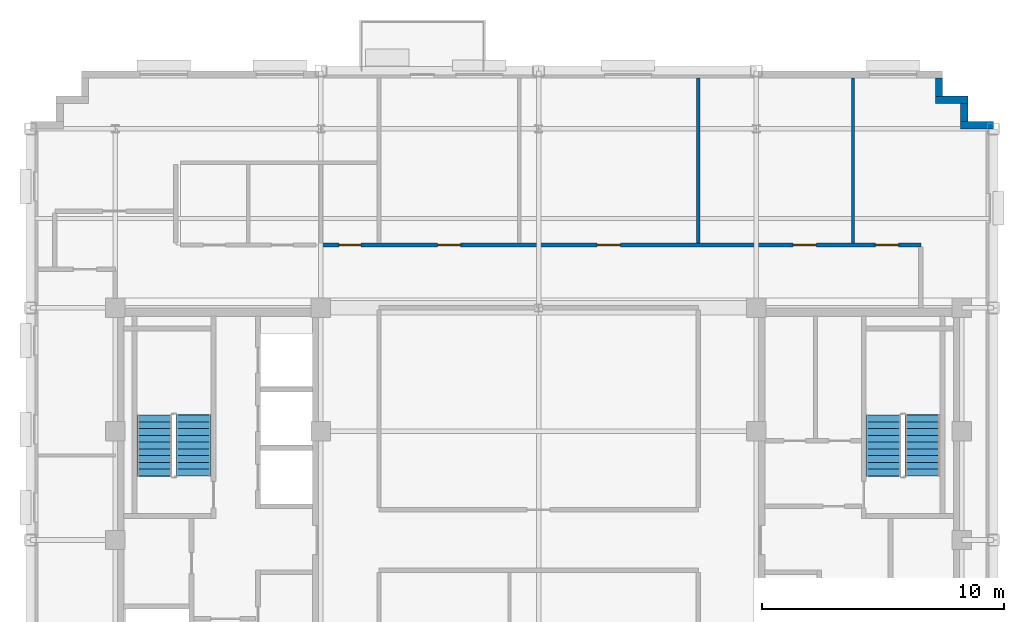
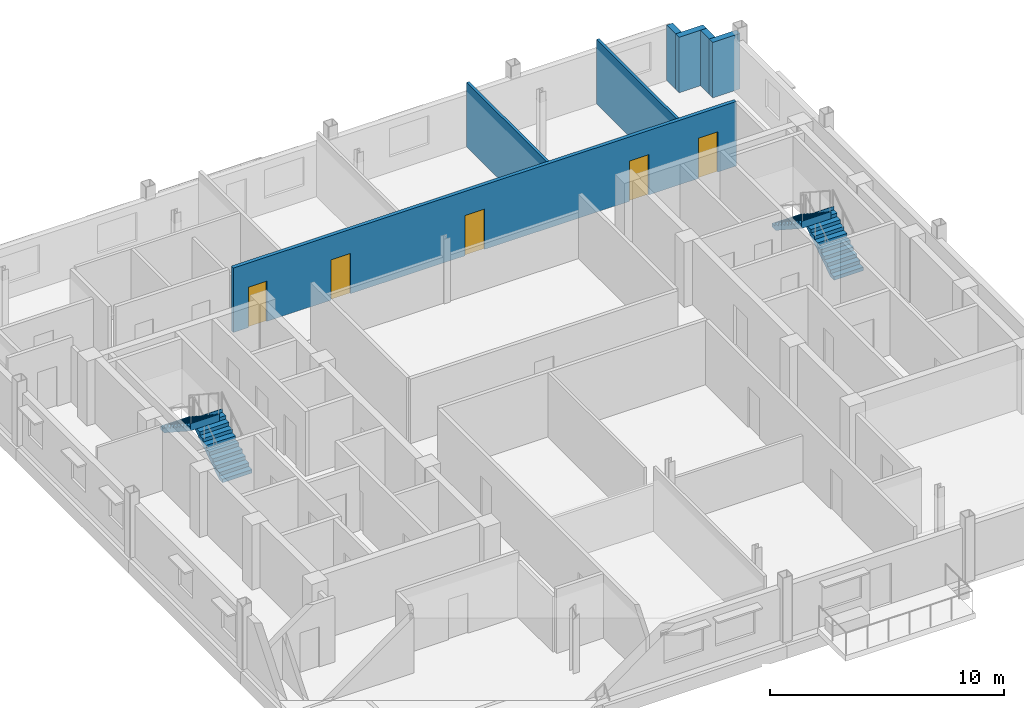
# One storey, part 9 of 13: 7 walls, 5 doors, 4 stair flights, 5 openings, 2 elements without a shape of their own.
"""IFC4 building model written with IfcOpenShell, lengths in metres."""

from ifc_helpers import new_model, si_unit, direction, frame, frame_2d, origin, place, context, subcontext, project, spatial, polyline, rectangle, outline, extrude, source, transform, mapped, material, layer, layer_set, type_object, type_shapes, element, fill, aggregate, save


model = new_model("IFC4")

# Units and contexts
model_context = context("Model", 3, precision=1e-05, world=origin(), true_north=direction((0.0, 1.0)))
body_context = subcontext(model_context, "Body", "Model", "MODEL_VIEW")
ifc_project = project(units=[si_unit("LENGTHUNIT", "METRE"), si_unit("AREAUNIT", "SQUARE_METRE"), si_unit("VOLUMEUNIT", "CUBIC_METRE"), si_unit("PLANEANGLEUNIT", "RADIAN"), si_unit("MASSUNIT", "GRAM", prefix="KILO")], contexts=[model_context])

# Site, building, storey
site_placement = place(None, origin())
site = spatial("IfcSite", under=ifc_project, at=site_placement, CompositionType="ELEMENT")
building_placement = place(site_placement, origin())
building = spatial("IfcBuilding", under=site, at=building_placement, Name="Nuvemarco Arch Tower", CompositionType="ELEMENT")
storey_placement = place(building_placement, frame((0.0, 0.0, 257.949951171875)))
storey = spatial("IfcBuildingStorey", under=building, at=storey_placement, Name="L68", CompositionType="ELEMENT", Elevation=257.949951171875)

# Walls
ifc_material_1 = material(Name="Precast concrete C45/55", Category="concrete")
ifc_layer_1 = layer(ifc_material_1, 0.300048828125, Name="EW-HIGH-300")
ifc_layer_set_1 = layer_set([ifc_layer_1], Name="Precast concrete C45/55")
wall_type_1 = type_object("IfcWallType", Name="EW-HIGH-300", PredefinedType="STANDARD", material=ifc_layer_set_1)
wall_1_placement = place(storey_placement, frame((17.449951171875, 17.14990234375, 0.0), z_axis=(0.0, 0.0, 1.0), x_axis=(1.0, 0.0, 0.0)))
element("IfcWall", 1, at=wall_1_placement, inside=storey, type_object=wall_type_1, Name="L68 exterior precast facade wall 7", PredefinedType="STANDARD", context=body_context, shape_type="SweptSolid", body=[
    extrude(rectangle(XDim=1.35009765625, YDim=0.300048828125, at=frame_2d((0.675048828125, 0.0))), origin(), (0.0, 0.0, 1.0), 2.89208984375),
])
wall_2_placement = place(storey_placement, frame((17.60009765625, 17.2958984375, 0.0), z_axis=(0.0, 0.0, 1.0), x_axis=(0.0, 1.0, 0.0)))
element("IfcWall", 2, at=wall_2_placement, inside=storey, type_object=wall_type_1, Name="L68 exterior precast facade wall 8", PredefinedType="STANDARD", context=body_context, shape_type="SweptSolid", body=[
    extrude(rectangle(XDim=0.758056640625, YDim=0.300048828125, at=frame_2d((0.37890625, 0.0))), origin(), (0.0, 0.0, 1.0), 2.89208984375),
])
wall_3_placement = place(storey_placement, frame((16.39990234375, 18.199951171875, 0.0), z_axis=(0.0, 0.0, 1.0), x_axis=(1.0, 0.0, 0.0)))
element("IfcWall", 3, at=wall_3_placement, inside=storey, type_object=wall_type_1, Name="L68 exterior precast facade wall 9", PredefinedType="STANDARD", context=body_context, shape_type="SweptSolid", body=[
    extrude(rectangle(XDim=1.35009765625, YDim=0.300048828125, at=frame_2d((0.675048828125, 0.0))), origin(), (0.0, 0.0, 1.0), 2.89208984375),
])
wall_4_placement = place(storey_placement, frame((16.550048828125, 18.345947265625, 0.0), z_axis=(0.0, 0.0, 1.0), x_axis=(0.0, 1.0, 0.0)))
element("IfcWall", 4, at=wall_4_placement, inside=storey, type_object=wall_type_1, Name="L68 exterior precast facade wall 10", PredefinedType="STANDARD", context=body_context, shape_type="SweptSolid", body=[
    extrude(rectangle(XDim=0.758056640625, YDim=0.300048828125, at=frame_2d((0.37890625, 0.0))), origin(), (0.0, 0.0, 1.0), 2.89208984375),
])

# Wall, openings, doors
ifc_material_2 = material(Name="Fire-rated gypsum drywall partition")
ifc_layer_2 = layer(ifc_material_2, 0.179931640625, Name="WL-CORR-180")
ifc_layer_set_2 = layer_set([ifc_layer_2], Name="Fire-rated gypsum drywall partition")
wall_type_2 = type_object("IfcWallType", Name="WL-CORR-180", PredefinedType="PARTITIONING", material=ifc_layer_set_2)
wall_5_placement = place(storey_placement, frame((-9.0, 12.199951171875, 0.0), z_axis=(0.0, 0.0, 1.0), x_axis=(1.0, 0.0, 0.0)))
wall_5 = element("IfcWall", 5, at=wall_5_placement, inside=storey, type_object=wall_type_2, Name="L68 interior wall IW-L68-015", PredefinedType="PARTITIONING", context=body_context, shape_type="SweptSolid", body=[
    extrude(rectangle(XDim=24.800048828125, YDim=0.179931640625, at=frame_2d((12.39990234375, 0.0))), origin(), (0.0, 0.0, 1.0), 3.360107421875),
])
opening_1_placement = place(wall_5_placement, frame((11.419921875, 0.0, 0.0)))
opening_1 = element("IfcOpeningElement", 6, at=opening_1_placement, cuts=wall_5, Name="Opening FD-5", PredefinedType="OPENING", context=body_context, shape_type="SweptSolid", body=[
    extrude(rectangle(XDim=0.9599609375, YDim=2.10009765625, at=frame_2d((0.47998046875, 1.050048828125))), frame((0.0, 0.099853515625, 0.0), z_axis=(0.0, -1.0, 0.0), x_axis=(1.0, 0.0, 0.0)), (0.0, 0.0, 1.0), 0.199951171875),
])
opening_2_placement = place(wall_5_placement, frame((4.820068359375, 0.0, 0.0)))
opening_2 = element("IfcOpeningElement", 7, at=opening_2_placement, cuts=wall_5, Name="Opening FD-5", PredefinedType="OPENING", context=body_context, shape_type="SweptSolid", body=[
    extrude(rectangle(XDim=0.9599609375, YDim=2.10009765625, at=frame_2d((0.47998046875, 1.050048828125))), frame((0.0, 0.099853515625, 0.0), z_axis=(0.0, -1.0, 0.0), x_axis=(1.0, 0.0, 0.0)), (0.0, 0.0, 1.0), 0.199951171875),
])
opening_3_placement = place(wall_5_placement, frame((19.52001953125, 0.0, 0.0)))
opening_3 = element("IfcOpeningElement", 8, at=opening_3_placement, cuts=wall_5, Name="Opening FD-5", PredefinedType="OPENING", context=body_context, shape_type="SweptSolid", body=[
    extrude(rectangle(XDim=0.9599609375, YDim=2.10009765625, at=frame_2d((0.47998046875, 1.050048828125))), frame((0.0, 0.099853515625, 0.0), z_axis=(0.0, -1.0, 0.0), x_axis=(1.0, 0.0, 0.0)), (0.0, 0.0, 1.0), 0.199951171875),
])
opening_4_placement = place(wall_5_placement, frame((22.919921875, 0.0, 0.0)))
opening_4 = element("IfcOpeningElement", 9, at=opening_4_placement, cuts=wall_5, Name="Opening FD-5", PredefinedType="OPENING", context=body_context, shape_type="SweptSolid", body=[
    extrude(rectangle(XDim=0.9599609375, YDim=2.10009765625, at=frame_2d((0.47998046875, 1.050048828125))), frame((0.0, 0.099853515625, 0.0), z_axis=(0.0, -1.0, 0.0), x_axis=(1.0, 0.0, 0.0)), (0.0, 0.0, 1.0), 0.199951171875),
])
opening_5_placement = place(wall_5_placement, frame((0.75, 0.0, 0.0)))
opening_5 = element("IfcOpeningElement", 10, at=opening_5_placement, cuts=wall_5, Name="Opening ID-3", PredefinedType="OPENING", context=body_context, shape_type="SweptSolid", body=[
    extrude(rectangle(XDim=0.89990234375, YDim=2.10009765625, at=frame_2d((0.449951171875, 1.050048828125))), frame((0.0, 0.099853515625, 0.0), z_axis=(0.0, -1.0, 0.0), x_axis=(1.0, 0.0, 0.0)), (0.0, 0.0, 1.0), 0.199951171875),
])
ifc_material_3 = material(Name="Timber fire door", Category="wood")
door_type_1 = type_object("IfcDoorType", Name="DR-CORR-FD", OperationType="NOTDEFINED", PredefinedType="DOOR", material=ifc_material_3)
shared_shape_1 = source(origin(), body_context, "Body", "SweptSolid", [
    extrude(rectangle(XDim=0.9599609375, YDim=2.10009765625, at=frame_2d((0.47998046875, 1.050048828125))), frame((0.0, 0.02490234375, 0.0), z_axis=(0.0, -1.0, 0.0), x_axis=(1.0, 0.0, 0.0)), (0.0, 0.0, 1.0), 0.050048828125),
])
type_shapes(door_type_1, [shared_shape_1])
door_1_placement = place(opening_1_placement, origin())
door_1 = element("IfcDoor", 11, at=door_1_placement, inside=storey, type_object=door_type_1, Name="L68 door DR-L68-N_3", OperationType="SINGLE_SWING_LEFT", OverallHeight=2.10009765625, OverallWidth=0.9599609375, PredefinedType="DOOR", context=body_context, shape_type="MappedRepresentation", body=[
    mapped(shared_shape_1, transform((0.0, 0.0, 0.0), scale=1.0)),
])
fill(opening_1, door_1)
door_2_placement = place(opening_2_placement, origin())
door_2 = element("IfcDoor", 12, at=door_2_placement, inside=storey, type_object=door_type_1, Name="L68 door DR-L68-N_2", OperationType="SINGLE_SWING_RIGHT", OverallHeight=2.10009765625, OverallWidth=0.9599609375, PredefinedType="DOOR", context=body_context, shape_type="MappedRepresentation", body=[
    mapped(shared_shape_1, transform((0.0, 0.0, 0.0), scale=1.0)),
])
fill(opening_2, door_2)
door_3_placement = place(opening_3_placement, origin())
door_3 = element("IfcDoor", 13, at=door_3_placement, inside=storey, type_object=door_type_1, Name="L68 door DR-L68-N_4", OperationType="SINGLE_SWING_LEFT", OverallHeight=2.10009765625, OverallWidth=0.9599609375, PredefinedType="DOOR", context=body_context, shape_type="MappedRepresentation", body=[
    mapped(shared_shape_1, transform((0.0, 0.0, 0.0), scale=1.0)),
])
fill(opening_3, door_3)
door_4_placement = place(opening_4_placement, origin())
door_4 = element("IfcDoor", 14, at=door_4_placement, inside=storey, type_object=door_type_1, Name="L68 door DR-L68-N_5", OperationType="SINGLE_SWING_LEFT", OverallHeight=2.10009765625, OverallWidth=0.9599609375, PredefinedType="DOOR", context=body_context, shape_type="MappedRepresentation", body=[
    mapped(shared_shape_1, transform((0.0, 0.0, 0.0), scale=1.0)),
])
fill(opening_4, door_4)
ifc_material_4 = material(Name="Veneered oak timber fire door", Category="wood")
door_type_2 = type_object("IfcDoorType", Name="DR-WC-ACC", OperationType="NOTDEFINED", PredefinedType="DOOR", material=ifc_material_4)
shared_shape_2 = source(origin(), body_context, "Body", "SweptSolid", [
    extrude(rectangle(XDim=0.89990234375, YDim=2.10009765625, at=frame_2d((0.449951171875, 1.050048828125))), frame((0.0, 0.02490234375, 0.0), z_axis=(0.0, -1.0, 0.0), x_axis=(1.0, 0.0, 0.0)), (0.0, 0.0, 1.0), 0.050048828125),
])
type_shapes(door_type_2, [shared_shape_2])
door_5_placement = place(opening_5_placement, origin())
door_5 = element("IfcDoor", 15, at=door_5_placement, inside=storey, type_object=door_type_2, Name="L68 door DR-L68-WC_ACC", OperationType="SINGLE_SWING_RIGHT", OverallHeight=2.10009765625, OverallWidth=0.89990234375, PredefinedType="DOOR", context=body_context, shape_type="MappedRepresentation", body=[
    mapped(shared_shape_2, transform((0.0, 0.0, 0.0), scale=1.0)),
])
fill(opening_5, door_5)

# Walls
ifc_material_5 = material(Name="Glazed acoustic office partition")
ifc_layer_3 = layer(ifc_material_5, 0.1298828125, Name="WL-EXEC-130")
ifc_layer_set_3 = layer_set([ifc_layer_3], Name="Glazed acoustic office partition")
wall_type_3 = type_object("IfcWallType", Name="WL-EXEC-130", PredefinedType="PARTITIONING", material=ifc_layer_set_3)
for number, where, z_axis, x_axis, name in (
    (16, (6.60009765625, 12.285888671875, 0.0), (0.0, 0.0, 1.0), (0.0, 1.0, 0.0), "L68 interior wall IW-L68-035"),
    (17, (13.0, 12.285888671875, 0.0), (0.0, 0.0, 1.0), (0.0, 1.0, 0.0), "L68 interior wall IW-L68-037"),
):
    element("IfcWall", number, at=place(storey_placement, frame(where, z_axis=z_axis, x_axis=x_axis)), inside=storey, type_object=wall_type_3, Name=name, PredefinedType="PARTITIONING", context=body_context, shape_type="SweptSolid", body=[
        extrude(rectangle(XDim=6.814208984375, YDim=0.1298828125, at=frame_2d((3.4072265625, 0.0))), origin(), (0.0, 0.0, 1.0), 3.360107421875),
    ])

# Stair, stair flights
stair_type = type_object("IfcStairType", Name="ST-CORE-20R", PredefinedType="HALF_TURN_STAIR", material=ifc_material_1)
stair_1_placement = place(storey_placement, origin())
stair_1 = element("IfcStair", 18, at=stair_1_placement, inside=storey, type_object=stair_type, Name="L68 Protected Exit Stair ST-1", PredefinedType="HALF_TURN_STAIR")
stair_flight_type = type_object("IfcStairFlightType", Name="SF-CORE-20R", PredefinedType="STRAIGHT", material=ifc_material_1)
stair_flight_1_placement = place(storey_placement, frame((-14.264892578125, 2.64990234375, 0.0), z_axis=(0.0, 0.0, 1.0), x_axis=(0.0, 1.0, 0.0)))
stair_flight_1 = element("IfcStairFlight", 19, at=stair_flight_1_placement, type_object=stair_flight_type, Name="ST-20R flight 1", NumberOfRisers=10, NumberOfTreads=9, PredefinedType="STRAIGHT", RiserHeight=0.1825, TreadLength=0.28, context=body_context, shape_type="SweptSolid", body=[
    extrude(outline(polyline([(0.0, 0.0), (0.0, 0.1826171875), (0.280029296875, 0.1826171875), (0.280029296875, 0.364990234375), (0.56005859375, 0.364990234375), (0.56005859375, 0.547607421875), (0.840087890625, 0.547607421875), (0.840087890625, 0.72998046875), (1.1201171875, 0.72998046875), (1.1201171875, 0.91259765625), (1.39990234375, 0.91259765625), (1.39990234375, 1.094970703125), (1.679931640625, 1.094970703125), (1.679931640625, 1.277587890625), (1.9599609375, 1.277587890625), (1.9599609375, 1.4599609375), (2.239990234375, 1.4599609375), (2.239990234375, 1.642578125), (2.52001953125, 1.642578125), (2.52001953125, 1.824951171875), (2.5400390625, 1.824951171875), (2.5400390625, 1.45166015625), (0.312744140625, 0.0), (0.0, 0.0)])), frame((0.0, 0.72509765625, 0.0), z_axis=(0.0, -1.0, 0.0), x_axis=(1.0, 0.0, 0.0)), (0.0, 0.0, 1.0), 1.449951171875),
])
stair_flight_2_placement = place(storey_placement, frame((-15.875, 5.169921875, 1.824951171875), z_axis=(0.0, 0.0, 1.0), x_axis=(0.0, -1.0, 0.0)))
stair_flight_2 = element("IfcStairFlight", 20, at=stair_flight_2_placement, type_object=stair_flight_type, Name="ST-20R flight 2", NumberOfRisers=10, NumberOfTreads=9, PredefinedType="STRAIGHT", RiserHeight=0.1825, TreadLength=0.28, context=body_context, shape_type="SweptSolid", body=[
    extrude(outline(polyline([(0.0, 0.0), (0.0, 0.1826171875), (0.280029296875, 0.1826171875), (0.280029296875, 0.364990234375), (0.56005859375, 0.364990234375), (0.56005859375, 0.547607421875), (0.840087890625, 0.547607421875), (0.840087890625, 0.72998046875), (1.1201171875, 0.72998046875), (1.1201171875, 0.91259765625), (1.39990234375, 0.91259765625), (1.39990234375, 1.094970703125), (1.679931640625, 1.094970703125), (1.679931640625, 1.277587890625), (1.9599609375, 1.277587890625), (1.9599609375, 1.4599609375), (2.239990234375, 1.4599609375), (2.239990234375, 1.642578125), (2.52001953125, 1.642578125), (2.52001953125, 1.824951171875), (2.5400390625, 1.824951171875), (2.5400390625, 1.45166015625), (0.312744140625, 0.0), (0.0, 0.0)])), frame((0.0, 0.72509765625, 0.0), z_axis=(0.0, -1.0, 0.0), x_axis=(1.0, 0.0, 0.0)), (0.0, 0.0, 1.0), 1.449951171875),
])
aggregate(stair_1, [stair_flight_1, stair_flight_2])

stair_2_placement = place(storey_placement, origin())
stair_2 = element("IfcStair", 21, at=stair_2_placement, inside=storey, type_object=stair_type, Name="L68 Protected Exit Stair ST-2", PredefinedType="HALF_TURN_STAIR")
stair_flight_3_placement = place(storey_placement, frame((15.875, 2.64990234375, 0.0), z_axis=(0.0, 0.0, 1.0), x_axis=(0.0, 1.0, 0.0)))
stair_flight_3 = element("IfcStairFlight", 22, at=stair_flight_3_placement, type_object=stair_flight_type, Name="ST-20R flight 1", NumberOfRisers=10, NumberOfTreads=9, PredefinedType="STRAIGHT", RiserHeight=0.1825, TreadLength=0.28, context=body_context, shape_type="SweptSolid", body=[
    extrude(outline(polyline([(0.0, 0.0), (0.0, 0.1826171875), (0.280029296875, 0.1826171875), (0.280029296875, 0.364990234375), (0.56005859375, 0.364990234375), (0.56005859375, 0.547607421875), (0.840087890625, 0.547607421875), (0.840087890625, 0.72998046875), (1.1201171875, 0.72998046875), (1.1201171875, 0.91259765625), (1.39990234375, 0.91259765625), (1.39990234375, 1.094970703125), (1.679931640625, 1.094970703125), (1.679931640625, 1.277587890625), (1.9599609375, 1.277587890625), (1.9599609375, 1.4599609375), (2.239990234375, 1.4599609375), (2.239990234375, 1.642578125), (2.52001953125, 1.642578125), (2.52001953125, 1.824951171875), (2.5400390625, 1.824951171875), (2.5400390625, 1.45166015625), (0.312744140625, 0.0), (0.0, 0.0)])), frame((0.0, 0.72509765625, 0.0), z_axis=(0.0, -1.0, 0.0), x_axis=(1.0, 0.0, 0.0)), (0.0, 0.0, 1.0), 1.449951171875),
])
stair_flight_4_placement = place(storey_placement, frame((14.264892578125, 5.169921875, 1.824951171875), z_axis=(0.0, 0.0, 1.0), x_axis=(0.0, -1.0, 0.0)))
stair_flight_4 = element("IfcStairFlight", 23, at=stair_flight_4_placement, type_object=stair_flight_type, Name="ST-20R flight 2", NumberOfRisers=10, NumberOfTreads=9, PredefinedType="STRAIGHT", RiserHeight=0.1825, TreadLength=0.28, context=body_context, shape_type="SweptSolid", body=[
    extrude(outline(polyline([(0.0, 0.0), (0.0, 0.1826171875), (0.280029296875, 0.1826171875), (0.280029296875, 0.364990234375), (0.56005859375, 0.364990234375), (0.56005859375, 0.547607421875), (0.840087890625, 0.547607421875), (0.840087890625, 0.72998046875), (1.1201171875, 0.72998046875), (1.1201171875, 0.91259765625), (1.39990234375, 0.91259765625), (1.39990234375, 1.094970703125), (1.679931640625, 1.094970703125), (1.679931640625, 1.277587890625), (1.9599609375, 1.277587890625), (1.9599609375, 1.4599609375), (2.239990234375, 1.4599609375), (2.239990234375, 1.642578125), (2.52001953125, 1.642578125), (2.52001953125, 1.824951171875), (2.5400390625, 1.824951171875), (2.5400390625, 1.45166015625), (0.312744140625, 0.0), (0.0, 0.0)])), frame((0.0, 0.72509765625, 0.0), z_axis=(0.0, -1.0, 0.0), x_axis=(1.0, 0.0, 0.0)), (0.0, 0.0, 1.0), 1.449951171875),
])
aggregate(stair_2, [stair_flight_3, stair_flight_4])

save(model, "model.ifc")
